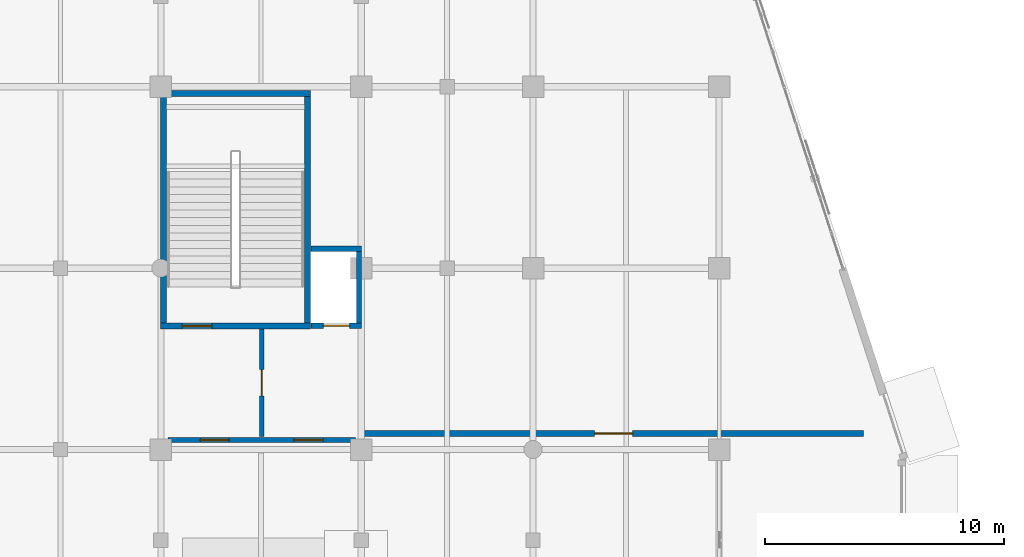
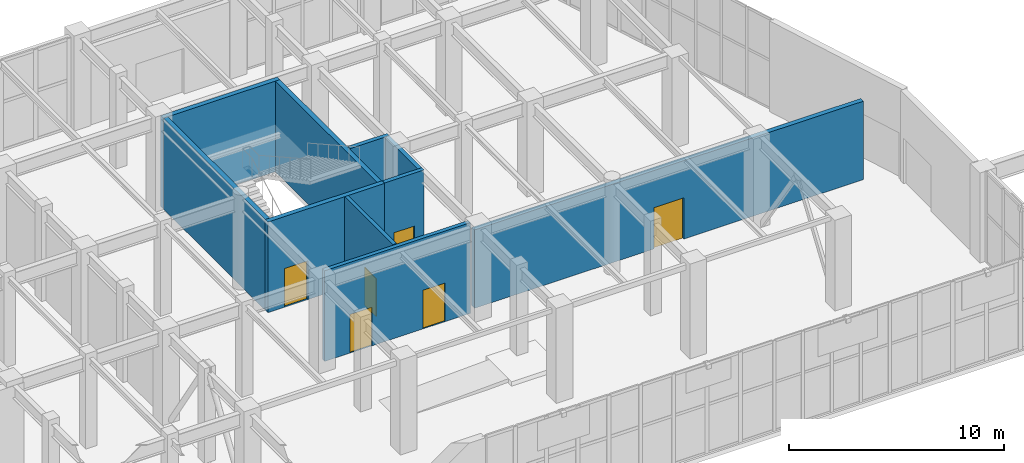
# One storey, part 122 of 139: 10 walls, 6 doors, 6 openings.
"""IFC4 building model written with IfcOpenShell, lengths in metres."""

from ifc_helpers import new_model, si_unit, direction, frame, frame_2d, origin, place, context, subcontext, project, spatial, rectangle, extrude, material, layer, layer_set, type_object, element, fill, save


model = new_model("IFC4")

# Units and contexts
model_context = context("Model", 3, precision=1e-05, world=origin(), true_north=direction((0.0, 1.0)))
body_context = subcontext(model_context, "Body", "Model", "MODEL_VIEW")
ifc_project = project(units=[si_unit("LENGTHUNIT", "METRE"), si_unit("AREAUNIT", "SQUARE_METRE"), si_unit("VOLUMEUNIT", "CUBIC_METRE"), si_unit("PLANEANGLEUNIT", "RADIAN"), si_unit("MASSUNIT", "GRAM", prefix="KILO")], contexts=[model_context])

# Site, building, storey
site_placement = place(None, origin())
site = spatial("IfcSite", under=ifc_project, at=site_placement, CompositionType="ELEMENT")
building_placement = place(site_placement, origin())
building = spatial("IfcBuilding", under=site, at=building_placement, Name="Xicomal Pleat Aquarium", CompositionType="ELEMENT")
storey_placement = place(building_placement, origin())
storey = spatial("IfcBuildingStorey", under=building, at=storey_placement, Name="L01", CompositionType="ELEMENT", Elevation=0.0)

# Wall, opening, door
ifc_material_1 = material(Name="Concrete C40/50", Category="concrete")
ifc_layer_1 = layer(ifc_material_1, 0.219970703125)
ifc_layer_set_1 = layer_set([ifc_layer_1], Name="Concrete C40/50")
wall_type_1 = type_object("IfcWallType", Name="WAL-COR-220", PredefinedType="SHEAR", material=ifc_layer_set_1)
wall_1_placement = place(storey_placement, frame((108.89990234375, 50.7900390625, 0.0), z_axis=(0.0, 0.0, 1.0), x_axis=(1.0, 0.0, 0.0)))
wall_1 = element("IfcWall", 1, at=wall_1_placement, inside=storey, type_object=wall_type_1, Name="L01 LF-07 lift shaft wall CW-L01-C7-LS", PredefinedType="SHEAR", context=body_context, shape_type="SweptSolid", body=[
    extrude(rectangle(XDim=2.1201171875, YDim=0.219970703125, at=frame_2d((1.06005859375, 0.0))), origin(), (0.0, 0.0, 1.0), 5.159912109375),
])
opening_1_placement = place(wall_1_placement, frame((0.510009765625, 0.0, 0.0)))
opening_1 = element("IfcOpeningElement", 2, at=opening_1_placement, cuts=wall_1, Name="Opening LD-07-L01", PredefinedType="OPENING", context=body_context, shape_type="SweptSolid", body=[
    extrude(rectangle(XDim=1.10009765625, YDim=2.14990234375, at=frame_2d((0.550048828125, 1.074951171875))), frame((0.0, 0.119873046875, 0.0), z_axis=(0.0, -1.0, 0.0), x_axis=(1.0, 0.0, 0.0)), (0.0, 0.0, 1.0), 0.239990234375),
])
ifc_material_2 = material(Name="Brushed stainless steel 304", Category="steel")
door_type_1 = type_object("IfcDoorType", Name="DOR-LD-1100x2150", OperationType="DOUBLE_DOOR_SLIDING", PredefinedType="DOOR", material=ifc_material_2)
door_1_placement = place(opening_1_placement, origin())
door_1 = element("IfcDoor", 3, at=door_1_placement, inside=storey, type_object=door_type_1, Name="L01 LF-07 sliding lift landing door", OperationType="DOUBLE_DOOR_SLIDING", OverallHeight=2.14990234375, OverallWidth=1.10009765625, PredefinedType="DOOR", context=body_context, shape_type="SweptSolid", body=[
    extrude(rectangle(XDim=1.10009765625, YDim=2.14990234375, at=frame_2d((0.550048828125, 1.074951171875))), frame((0.0, 0.02490234375, 0.0), z_axis=(0.0, -1.0, 0.0), x_axis=(1.0, 0.0, 0.0)), (0.0, 0.0, 1.0), 0.050048828125),
])
fill(opening_1, door_1)

# Walls
wall_2_placement = place(storey_placement, frame((108.89990234375, 54.010009765625, 0.0), z_axis=(0.0, 0.0, 1.0), x_axis=(1.0, 0.0, 0.0)))
element("IfcWall", 4, at=wall_2_placement, inside=storey, type_object=wall_type_1, Name="L01 LF-07 lift shaft wall CW-L01-C7-LN", PredefinedType="SHEAR", context=body_context, shape_type="SweptSolid", body=[
    extrude(rectangle(XDim=2.1201171875, YDim=0.219970703125, at=frame_2d((1.06005859375, 0.0))), origin(), (0.0, 0.0, 1.0), 5.159912109375),
])
wall_3_placement = place(storey_placement, frame((110.909912109375, 50.89990234375, 0.0), z_axis=(0.0, 0.0, 1.0), x_axis=(0.0, 1.0, 0.0)))
element("IfcWall", 5, at=wall_3_placement, inside=storey, type_object=wall_type_1, Name="L01 LF-07 lift shaft wall CW-L01-C7-LE", PredefinedType="SHEAR", context=body_context, shape_type="SweptSolid", body=[
    extrude(rectangle(XDim=3.0, YDim=0.219970703125, at=frame_2d((1.5, 0.0))), origin(), (0.0, 0.0, 1.0), 5.159912109375),
])

# Wall, opening, door
ifc_material_3 = material(Name="Concrete C40/50", Category="concrete")
ifc_layer_2 = layer(ifc_material_3, 0.25)
ifc_layer_set_2 = layer_set([ifc_layer_2], Name="Concrete C40/50")
wall_type_2 = type_object("IfcWallType", Name="WAL-COR-250", PredefinedType="SHEAR", material=ifc_layer_set_2)
wall_4_placement = place(storey_placement, frame((102.590087890625, 50.77490234375, 0.0), z_axis=(0.0, 0.0, 1.0), x_axis=(1.0, 0.0, 0.0)))
wall_4 = element("IfcWall", 6, at=wall_4_placement, inside=storey, type_object=wall_type_2, Name="L01 CORE-7 stair shear wall CW-L01-C7-SS", PredefinedType="SHEAR", context=body_context, shape_type="SweptSolid", body=[
    extrude(rectangle(XDim=6.280029296875, YDim=0.25, at=frame_2d((3.14013671875, 0.0))), origin(), (0.0, 0.0, 1.0), 5.159912109375),
])
opening_2_placement = place(wall_4_placement, frame((0.89990234375, 0.0, 0.0)))
opening_2 = element("IfcOpeningElement", 7, at=opening_2_placement, cuts=wall_4, Name="Opening SD-07-L01", PredefinedType="OPENING", context=body_context, shape_type="SweptSolid", body=[
    extrude(rectangle(XDim=1.25, YDim=2.199951171875, at=frame_2d((0.625, 1.10009765625))), frame((0.0, 0.135009765625, 0.0), z_axis=(0.0, -1.0, 0.0), x_axis=(1.0, 0.0, 0.0)), (0.0, 0.0, 1.0), 0.27001953125),
])
ifc_material_4 = material(Name="Powder-coated steel fire door", Category="steel")
door_type_2 = type_object("IfcDoorType", Name="DOR-ST-1250x2200", OperationType="NOTDEFINED", PredefinedType="DOOR", material=ifc_material_4)
door_2_placement = place(opening_2_placement, origin())
door_2 = element("IfcDoor", 8, at=door_2_placement, inside=storey, type_object=door_type_2, Name="L01 ST-07 protected stair door", OperationType="SINGLE_SWING_RIGHT", OverallHeight=2.199951171875, OverallWidth=1.25, PredefinedType="DOOR", context=body_context, shape_type="SweptSolid", body=[
    extrude(rectangle(XDim=1.25, YDim=2.199951171875, at=frame_2d((0.625, 1.10009765625))), frame((0.0, 0.02490234375, 0.0), z_axis=(0.0, -1.0, 0.0), x_axis=(1.0, 0.0, 0.0)), (0.0, 0.0, 1.0), 0.050048828125),
])
fill(opening_2, door_2)

# Walls
wall_5_placement = place(storey_placement, frame((102.590087890625, 60.52490234375, 0.0), z_axis=(0.0, 0.0, 1.0), x_axis=(1.0, 0.0, 0.0)))
element("IfcWall", 9, at=wall_5_placement, inside=storey, type_object=wall_type_2, Name="L01 CORE-7 stair shear wall CW-L01-C7-SN", PredefinedType="SHEAR", context=body_context, shape_type="SweptSolid", body=[
    extrude(rectangle(XDim=6.280029296875, YDim=0.25, at=frame_2d((3.14013671875, 0.0))), origin(), (0.0, 0.0, 1.0), 5.159912109375),
])
for number, where, z_axis, x_axis, name in (
    (10, (102.715087890625, 50.89990234375, 0.0), (0.0, 0.0, 1.0), (0.0, 1.0, 0.0), "L01 CORE-7 stair shear wall CW-L01-C7-SW"),
    (11, (108.7451171875, 50.89990234375, 0.0), (0.0, 0.0, 1.0), (0.0, 1.0, 0.0), "L01 CORE-7 stair shear wall CW-L01-C7-SE"),
):
    element("IfcWall", number, at=place(storey_placement, frame(where, z_axis=z_axis, x_axis=x_axis)), inside=storey, type_object=wall_type_2, Name=name, PredefinedType="SHEAR", context=body_context, shape_type="SweptSolid", body=[
        extrude(rectangle(XDim=9.5, YDim=0.25, at=frame_2d((4.75, 0.0))), origin(), (0.0, 0.0, 1.0), 5.159912109375),
    ])

# Wall, opening, door
ifc_material_5 = material(Name="Acoustic double-stud drywall partition", Category="gypsum")
ifc_layer_3 = layer(ifc_material_5, 0.195068359375)
ifc_layer_set_3 = layer_set([ifc_layer_3], Name="Acoustic double-stud drywall partition")
wall_type_3 = type_object("IfcWallType", Name="WAL-PRT-195", PredefinedType="PARTITIONING", material=ifc_layer_set_3)
wall_6_placement = place(storey_placement, frame((106.824951171875, 46.14990234375, 0.0), z_axis=(0.0, 0.0, 1.0), x_axis=(0.0, 1.0, 0.0)))
wall_6 = element("IfcWall", 12, at=wall_6_placement, inside=storey, type_object=wall_type_3, Name="L01 firefighting lobby smoke divider 7", PredefinedType="PARTITIONING", context=body_context, shape_type="SweptSolid", body=[
    extrude(rectangle(XDim=4.5, YDim=0.195068359375, at=frame_2d((2.25, 0.0))), origin(), (0.0, 0.0, 1.0), 5.159912109375),
])
opening_3_placement = place(wall_6_placement, frame((1.699951171875, 0.0, 0.0)))
opening_3 = element("IfcOpeningElement", 13, at=opening_3_placement, cuts=wall_6, Name="Opening FD-07C-L01", PredefinedType="OPENING", context=body_context, shape_type="SweptSolid", body=[
    extrude(rectangle(XDim=1.10009765625, YDim=2.14990234375, at=frame_2d((0.550048828125, 1.074951171875))), frame((0.0, 0.107421875, 0.0), z_axis=(0.0, -1.0, 0.0), x_axis=(1.0, 0.0, 0.0)), (0.0, 0.0, 1.0), 0.215087890625),
])
ifc_material_6 = material(Name="Powder-coated steel fire door", Category="steel")
door_type_3 = type_object("IfcDoorType", Name="DOR-LAB-1100x2150", OperationType="NOTDEFINED", PredefinedType="DOOR", material=ifc_material_6)
door_3_placement = place(opening_3_placement, origin())
door_3 = element("IfcDoor", 14, at=door_3_placement, inside=storey, type_object=door_type_3, Name="L01 lobby interconnecting fire door 7C", OperationType="SINGLE_SWING_RIGHT", OverallHeight=2.14990234375, OverallWidth=1.10009765625, PredefinedType="DOOR", context=body_context, shape_type="SweptSolid", body=[
    extrude(rectangle(XDim=1.10009765625, YDim=2.14990234375, at=frame_2d((0.550048828125, 1.074951171875))), frame((0.0, 0.02490234375, 0.0), z_axis=(0.0, -1.0, 0.0), x_axis=(1.0, 0.0, 0.0)), (0.0, 0.0, 1.0), 0.050048828125),
])
fill(opening_3, door_3)

# Wall, openings, doors
ifc_material_7 = material(Name="Fire-rated gypsum and mineral-wool partition", Category="gypsum")
ifc_layer_4 = layer(ifc_material_7, 0.2099609375)
ifc_layer_set_4 = layer_set([ifc_layer_4], Name="Fire-rated gypsum and mineral-wool partition")
wall_type_4 = type_object("IfcWallType", Name="WAL-PRT-210", PredefinedType="PARTITIONING", material=ifc_layer_set_4)
wall_7_placement = place(storey_placement, frame((102.89990234375, 46.0, 0.0), z_axis=(0.0, 0.0, 1.0), x_axis=(1.0, 0.0, 0.0)))
wall_7 = element("IfcWall", 15, at=wall_7_placement, inside=storey, type_object=wall_type_4, Name="L01 CORE-7 lobby fire enclosure wall", PredefinedType="PARTITIONING", context=body_context, shape_type="SweptSolid", body=[
    extrude(rectangle(XDim=7.85009765625, YDim=0.2099609375, at=frame_2d((3.925048828125, 0.0))), origin(), (0.0, 0.0, 1.0), 5.159912109375),
])
opening_4_placement = place(wall_7_placement, frame((1.362060546875, 0.0, 0.0)))
opening_4 = element("IfcOpeningElement", 16, at=opening_4_placement, cuts=wall_7, Name="Opening FD-07A-L01", PredefinedType="OPENING", context=body_context, shape_type="SweptSolid", body=[
    extrude(rectangle(XDim=1.199951171875, YDim=2.199951171875, at=frame_2d((0.60009765625, 1.10009765625))), frame((0.0, 0.114990234375, 0.0), z_axis=(0.0, -1.0, 0.0), x_axis=(1.0, 0.0, 0.0)), (0.0, 0.0, 1.0), 0.22998046875),
])
opening_5_placement = place(wall_7_placement, frame((5.287109375, 0.0, 0.0)))
opening_5 = element("IfcOpeningElement", 17, at=opening_5_placement, cuts=wall_7, Name="Opening FD-07B-L01", PredefinedType="OPENING", context=body_context, shape_type="SweptSolid", body=[
    extrude(rectangle(XDim=1.199951171875, YDim=2.199951171875, at=frame_2d((0.60009765625, 1.10009765625))), frame((0.0, 0.114990234375, 0.0), z_axis=(0.0, -1.0, 0.0), x_axis=(1.0, 0.0, 0.0)), (0.0, 0.0, 1.0), 0.22998046875),
])
ifc_material_8 = material(Name="Powder-coated steel fire door", Category="steel")
door_type_4 = type_object("IfcDoorType", Name="DOR-FFL-1200x2200", OperationType="NOTDEFINED", PredefinedType="DOOR", material=ifc_material_8)
door_4_placement = place(opening_4_placement, origin())
door_4 = element("IfcDoor", 18, at=door_4_placement, inside=storey, type_object=door_type_4, Name="L01 firefighting lobby door 7A", OperationType="SINGLE_SWING_RIGHT", OverallHeight=2.199951171875, OverallWidth=1.199951171875, PredefinedType="DOOR", context=body_context, shape_type="SweptSolid", body=[
    extrude(rectangle(XDim=1.199951171875, YDim=2.199951171875, at=frame_2d((0.60009765625, 1.10009765625))), frame((0.0, 0.02490234375, 0.0), z_axis=(0.0, -1.0, 0.0), x_axis=(1.0, 0.0, 0.0)), (0.0, 0.0, 1.0), 0.050048828125),
])
fill(opening_4, door_4)
door_5_placement = place(opening_5_placement, origin())
door_5 = element("IfcDoor", 19, at=door_5_placement, inside=storey, type_object=door_type_4, Name="L01 lift lobby door 7B", OperationType="SINGLE_SWING_LEFT", OverallHeight=2.199951171875, OverallWidth=1.199951171875, PredefinedType="DOOR", context=body_context, shape_type="SweptSolid", body=[
    extrude(rectangle(XDim=1.199951171875, YDim=2.199951171875, at=frame_2d((0.60009765625, 1.10009765625))), frame((0.0, 0.02490234375, 0.0), z_axis=(0.0, -1.0, 0.0), x_axis=(1.0, 0.0, 0.0)), (0.0, 0.0, 1.0), 0.050048828125),
])
fill(opening_5, door_5)

# Wall, opening, door
ifc_material_9 = material(Name="Fire-rated gypsum and mineral-wool partition", Category="gypsum")
ifc_layer_5 = layer(ifc_material_9, 0.2548828125)
ifc_layer_set_5 = layer_set([ifc_layer_5], Name="Fire-rated gypsum and mineral-wool partition")
wall_type_5 = type_object("IfcWallType", Name="WAL-PRT-255", PredefinedType="PARTITIONING", material=ifc_layer_set_5)
wall_8_placement = place(storey_placement, frame((111.110107421875, 46.27001953125, 0.0), z_axis=(0.0, 0.0, 1.0), x_axis=(1.0, 0.0, 0.0)))
wall_8 = element("IfcWall", 20, at=wall_8_placement, inside=storey, type_object=wall_type_5, Name="L01 interior partition PT-L01-032", PredefinedType="PARTITIONING", context=body_context, shape_type="SweptSolid", body=[
    extrude(rectangle(XDim=20.935791015625, YDim=0.2548828125, at=frame_2d((10.4677734375, 0.0))), origin(), (0.0, 0.0, 1.0), 4.4619140625),
])
opening_6_placement = place(wall_8_placement, frame((9.66796875, 0.0, 0.0)))
opening_6 = element("IfcOpeningElement", 21, at=opening_6_placement, cuts=wall_8, Name="Opening DR-L01-016", PredefinedType="OPENING", context=body_context, shape_type="SweptSolid", body=[
    extrude(rectangle(XDim=1.60009765625, YDim=2.35009765625, at=frame_2d((0.800048828125, 1.175048828125))), frame((0.0, 0.137451171875, 0.0), z_axis=(0.0, -1.0, 0.0), x_axis=(1.0, 0.0, 0.0)), (0.0, 0.0, 1.0), 0.27490234375),
])
ifc_material_10 = material(Name="Solid-core hardwood and anodized aluminium frame", Category="wood")
door_type_5 = type_object("IfcDoorType", Name="DOR-INT-1600x2350", OperationType="DOUBLE_DOOR_SINGLE_SWING", PredefinedType="DOOR", material=ifc_material_10)
door_6_placement = place(opening_6_placement, origin())
door_6 = element("IfcDoor", 22, at=door_6_placement, inside=storey, type_object=door_type_5, Name="L01 Coral Reef Exhibit Gallery door DR-L01-016", OperationType="DOUBLE_DOOR_SINGLE_SWING", OverallHeight=2.35009765625, OverallWidth=1.60009765625, PredefinedType="DOOR", context=body_context, shape_type="SweptSolid", body=[
    extrude(rectangle(XDim=1.60009765625, YDim=2.35009765625, at=frame_2d((0.800048828125, 1.175048828125))), frame((0.0, 0.02490234375, 0.0), z_axis=(0.0, -1.0, 0.0), x_axis=(1.0, 0.0, 0.0)), (0.0, 0.0, 1.0), 0.050048828125),
])
fill(opening_6, door_6)

save(model, "model.ifc")
